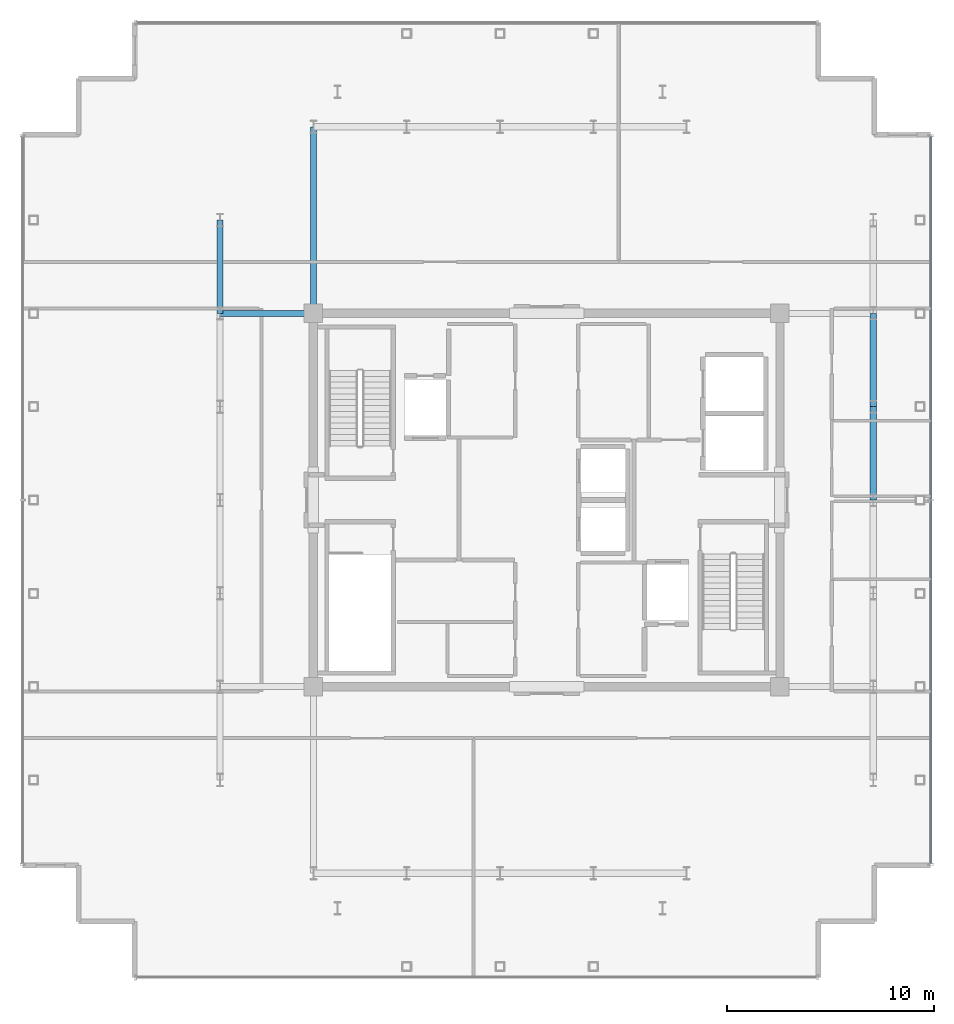
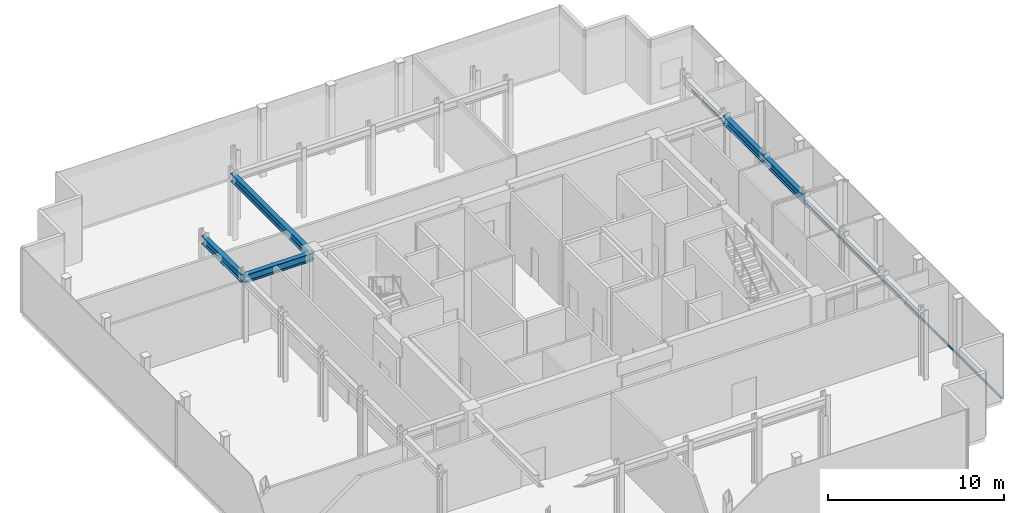
# One storey, part 8 of 17: 5 beams, 1 member, 1 element without a shape of its own.
"""IFC4 building model written with IfcOpenShell, lengths in metres."""

from ifc_helpers import new_model, si_unit, direction, frame, origin, origin_2d, place, context, subcontext, project, spatial, hollow_rectangle, i_section, extrude, source, transform, mapped, material, layer, layer_set, material_profile, profile_set, type_object, element, aggregate, save


model = new_model("IFC4")

# Units and contexts
model_context = context("Model", 3, precision=1e-05, world=origin(), true_north=direction((0.0, 1.0)))
body_context = subcontext(model_context, "Body", "Model", "MODEL_VIEW")
ifc_project = project(units=[si_unit("LENGTHUNIT", "METRE"), si_unit("AREAUNIT", "SQUARE_METRE"), si_unit("VOLUMEUNIT", "CUBIC_METRE"), si_unit("PLANEANGLEUNIT", "RADIAN"), si_unit("MASSUNIT", "GRAM", prefix="KILO")], contexts=[model_context])

# Site, building, storey
site_placement = place(None, origin())
site = spatial("IfcSite", under=ifc_project, at=site_placement, CompositionType="ELEMENT")
building_placement = place(site_placement, origin())
building = spatial("IfcBuilding", under=site, at=building_placement, Name="Nefas-Gora Pilgrimage Tower", CompositionType="ELEMENT")
storey_placement = place(building_placement, frame((0.0, 0.0, 353.800048828125)))
storey = spatial("IfcBuildingStorey", under=building, at=storey_placement, Name="L89", CompositionType="ELEMENT", Elevation=353.800048828125)

# Beams
ifc_material_1 = material(Name="Steel S355", Category="steel")
ifc_material_profile_1 = material_profile(ifc_material_1, i_section(OverallWidth=0.300048828125, OverallDepth=0.550048828125, WebThickness=0.014892578125, FlangeThickness=0.029052734375, FilletRadius=0.027099609375, at=origin_2d()), Name="HEB 550")
ifc_profile_set_1 = profile_set([ifc_material_profile_1], Name="Steel S355")
beam_type = type_object("IfcBeamType", Name="BM-GIR-HEB550", PredefinedType="BEAM", material=ifc_profile_set_1)
shared_shape_1 = source(origin(), body_context, "Body", "SweptSolid", [
    extrude(i_section(OverallWidth=0.300048828125, OverallDepth=0.550048828125, WebThickness=0.014892578125, FlangeThickness=0.029052734375, FilletRadius=0.027099609375, at=origin_2d()), origin(), (0.0, 0.0, 1.0), 9.0),
])
beam_placement = place(storey_placement, frame((-11.25, 9.0, 4.224853515625), z_axis=(0.0, 1.0, 0.0), x_axis=(-1.0, 0.0, 0.0)))
element("IfcBeam", 1, at=beam_placement, inside=storey, type_object=beam_type, Name="L89 G-05 beam", PredefinedType="BEAM", context=body_context, shape_type="MappedRepresentation", body=[
    mapped(shared_shape_1, transform((0.0, 0.0, 0.0), x_axis=(1.0, 0.0, 0.0), y_axis=(0.0, 1.0, 0.0), z_axis=(0.0, 0.0, 1.0), scale=1.0)),
])
shared_shape_2 = source(origin(), body_context, "Body", "SweptSolid", [
    extrude(i_section(OverallWidth=0.300048828125, OverallDepth=0.550048828125, WebThickness=0.014892578125, FlangeThickness=0.029052734375, FilletRadius=0.027099609375, at=origin_2d()), origin(), (0.0, 0.0, 1.0), 4.5),
])
for number, where, z_axis, x_axis, name in (
    (2, (-15.75, 9.0, 4.224853515625), (0.0, 1.0, 0.0), (-1.0, 0.0, 0.0), "L89 G-05 beam"),
    (3, (-15.75, 9.0, 4.224853515625), (1.0, 0.0, 0.0), (0.0, 1.0, 0.0), "L89 G-05 beam"),
    (4, (15.75, 0.0, 4.224853515625), (0.0, 1.0, 0.0), (-1.0, 0.0, 0.0), "L89 G-05 beam"),
    (5, (15.75, 4.5, 4.224853515625), (0.0, 1.0, 0.0), (-1.0, 0.0, 0.0), "L89 G-05 beam"),
):
    element("IfcBeam", number, at=place(storey_placement, frame(where, z_axis=z_axis, x_axis=x_axis)), inside=storey, type_object=beam_type, Name=name, PredefinedType="BEAM", context=body_context, shape_type="MappedRepresentation", body=[
        mapped(shared_shape_2, transform((0.0, 0.0, 0.0), x_axis=(1.0, 0.0, 0.0), y_axis=(0.0, 1.0, 0.0), z_axis=(0.0, 0.0, 1.0), scale=1.0)),
    ])

# Curtain wall, member
ifc_material_2 = material(Name="Dark ceramic-fritted solar-control aluminium-glass curtain wall", Category="aluminium")
ifc_layer = layer(ifc_material_2, 0.219970703125)
ifc_layer_set = layer_set([ifc_layer], Name="Dark ceramic-fritted solar-control aluminium-glass curtain wall")
curtain_wall_type = type_object("IfcCurtainWallType", Name="CW-SYS-6", PredefinedType="NOTDEFINED", material=ifc_layer_set)
curtain_wall_placement = place(storey_placement, origin())
curtain_wall = element("IfcCurtainWall", 6, at=curtain_wall_placement, inside=storey, type_object=curtain_wall_type, Name="L89 Unitised Curtain Wall CW6", PredefinedType="NOTDEFINED")
ifc_material_3 = material(Name="Anodised architectural aluminium", Category="aluminium")
ifc_material_profile_2 = material_profile(ifc_material_3, hollow_rectangle(XDim=0.080078125, YDim=0.159912109375, WallThickness=0.00439453125, InnerFilletRadius=0.00439453125, OuterFilletRadius=0.009033203125, at=origin_2d()), Name="ALU TRANSOM 80x160")
ifc_profile_set_2 = profile_set([ifc_material_profile_2], Name="Anodised architectural aluminium")
member_type = type_object("IfcMemberType", Name="CWM-TRN-6", PredefinedType="USERDEFINED", material=ifc_profile_set_2)
shared_shape_3 = source(origin(), body_context, "Body", "SweptSolid", [
    extrude(hollow_rectangle(XDim=0.080078125, YDim=0.159912109375, WallThickness=0.00439453125, InnerFilletRadius=0.00439453125, OuterFilletRadius=0.009033203125, at=origin_2d()), origin(), (0.0, 0.0, 1.0), 35.06005859375),
])
member_placement = place(storey_placement, frame((18.52001953125, -17.530029296875, 0.050048828125), z_axis=(0.0, 1.0, 0.0), x_axis=(-1.0, 0.0, 0.0)))
member = element("IfcMember", 7, at=member_placement, type_object=member_type, Name="CW6 Spandrel Transom", ObjectType="TRANSOM", PredefinedType="USERDEFINED", context=body_context, shape_type="MappedRepresentation", body=[
    mapped(shared_shape_3, transform((0.0, 0.0, 0.0), x_axis=(1.0, 0.0, 0.0), y_axis=(0.0, 1.0, 0.0), z_axis=(0.0, 0.0, 1.0), scale=1.0)),
])
aggregate(curtain_wall, [member])

save(model, "model.ifc")
